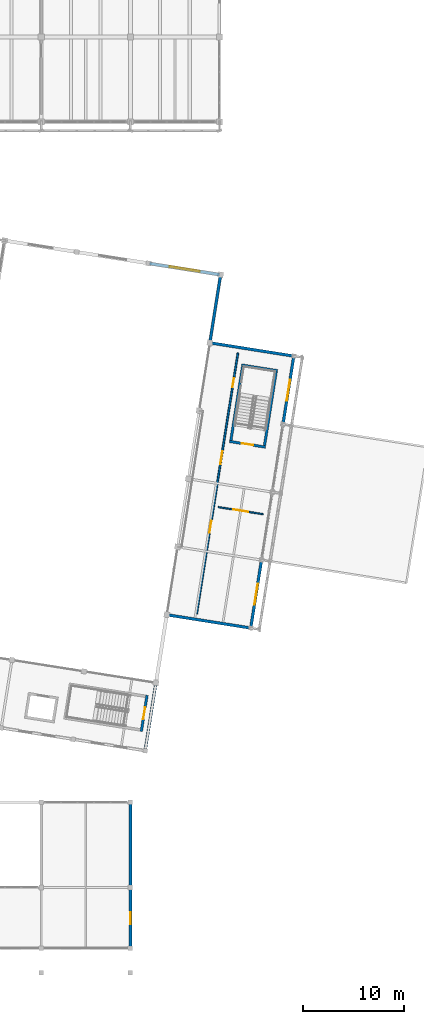
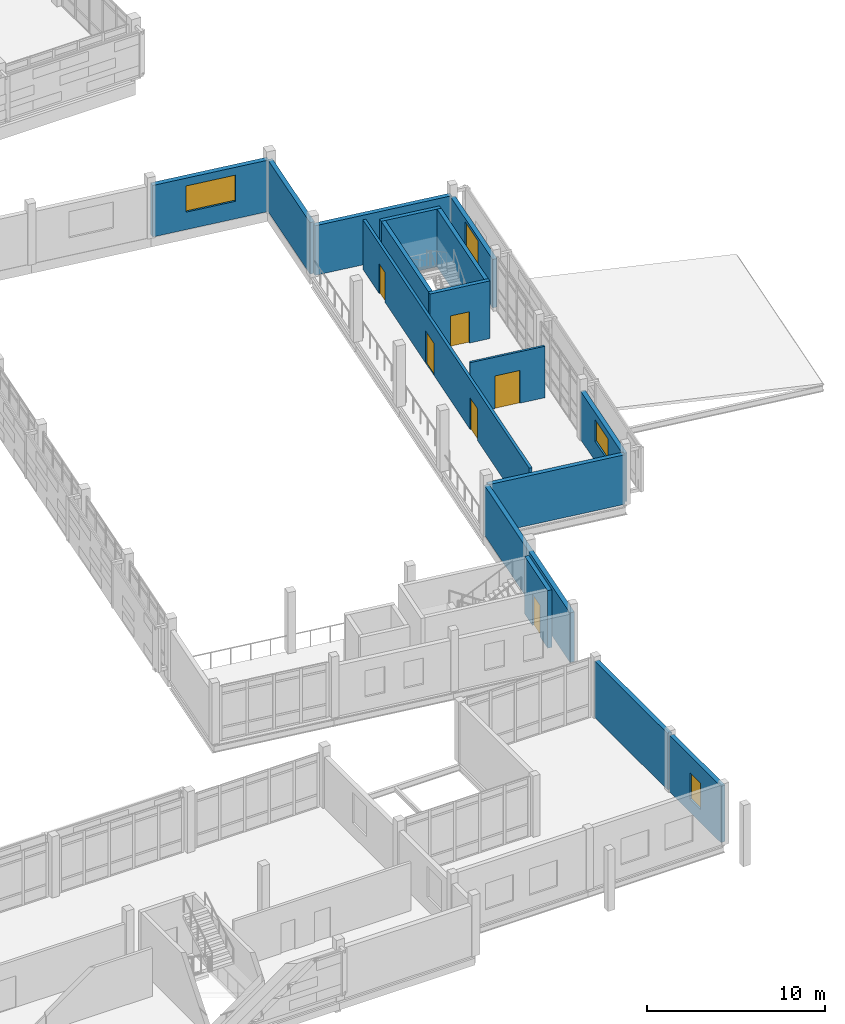
# One storey, part 114 of 137: 16 walls, 6 doors, 4 windows, 10 openings.
"""IFC4 building model written with IfcOpenShell, lengths in metres."""

from ifc_helpers import new_model, si_unit, direction, frame, frame_2d, origin, place, context, subcontext, project, spatial, rectangle, extrude, material, layer, layer_set, type_object, element, fill, save


model = new_model("IFC4")

# Units and contexts
model_context = context("Model", 3, precision=1e-05, world=origin(), true_north=direction((0.0, 1.0)))
body_context = subcontext(model_context, "Body", "Model", "MODEL_VIEW")
ifc_project = project(units=[si_unit("LENGTHUNIT", "METRE"), si_unit("AREAUNIT", "SQUARE_METRE"), si_unit("VOLUMEUNIT", "CUBIC_METRE"), si_unit("PLANEANGLEUNIT", "RADIAN"), si_unit("MASSUNIT", "GRAM", prefix="KILO")], contexts=[model_context])

# Site, building, storey
site_placement = place(None, origin())
site = spatial("IfcSite", under=ifc_project, at=site_placement, CompositionType="ELEMENT")
building_placement = place(site_placement, origin())
building = spatial("IfcBuilding", under=site, at=building_placement, Name="Cinderway Yard Community Centre", CompositionType="ELEMENT")
storey_placement = place(building_placement, frame((0.0, 0.0, 4.800048828125)))
storey = spatial("IfcBuildingStorey", under=building, at=storey_placement, Name="L01", CompositionType="ELEMENT", Elevation=4.800048828125)

# Wall, opening, window
ifc_material_1 = material(Name="Concrete C35/45", Category="concrete")
ifc_layer_1 = layer(ifc_material_1, 0.280029296875, Name="Concrete C35/45")
ifc_layer_set_1 = layer_set([ifc_layer_1], Name="Concrete C35/45")
wall_type_1 = type_object("IfcWallType", Name="ENV-WAL-EXT280", PredefinedType="SOLIDWALL", material=ifc_layer_set_1)
wall_1_placement = place(storey_placement, frame((148.7099609375, 40.1220703125, 0.0), z_axis=(0.0, 0.0, 1.0), x_axis=(0.156500089252, 0.987677944506, 0.0)))
wall_1 = element("IfcWall", 1, at=wall_1_placement, inside=storey, type_object=wall_type_1, Name="Athletics East Brick Wall ENV-WAL-L01-0070", PredefinedType="SOLIDWALL", context=body_context, shape_type="SweptSolid", body=[
    extrude(rectangle(XDim=6.600341796875, YDim=0.280029296875, at=frame_2d((3.30029296875, 0.0))), origin(), (0.0, 0.0, 1.0), 3.327880859375),
])
opening_1_placement = place(wall_1_placement, frame((2.25, 0.0, 1.35009765625)))
opening_1 = element("IfcOpeningElement", 2, at=opening_1_placement, cuts=wall_1, Name="Opening W-04", PredefinedType="OPENING", context=body_context, shape_type="SweptSolid", body=[
    extrude(rectangle(XDim=2.10009765625, YDim=1.5, at=frame_2d((1.050048828125, 0.75))), frame((0.0, 0.14990234375, 0.0), z_axis=(0.0, -1.0, 0.0), x_axis=(1.0, 0.0, 0.0)), (0.0, 0.0, 1.0), 0.300048828125),
])
ifc_material_2 = material(Name="Laminated Low-E Glass", Category="glass")
window_type_1 = type_object("IfcWindowType", Name="ENV-WIN-W04", PartitioningType="TRIPLE_PANEL_VERTICAL", PredefinedType="WINDOW", material=ifc_material_2)
window_1_placement = place(opening_1_placement, origin())
window_1 = element("IfcWindow", 3, at=window_1_placement, inside=storey, type_object=window_type_1, Name="Exterior window ENV-WIN-L01-0050", OverallHeight=1.5, OverallWidth=2.10009765625, PartitioningType="SINGLE_PANEL", PredefinedType="WINDOW", context=body_context, shape_type="SweptSolid", body=[
    extrude(rectangle(XDim=2.10009765625, YDim=1.5, at=frame_2d((1.050048828125, 0.75))), frame((0.0, 0.030029296875, 0.0), z_axis=(0.0, -1.0, 0.0), x_axis=(1.0, 0.0, 0.0)), (0.0, 0.0, 1.0), 0.06005859375),
])
fill(opening_1, window_1)

wall_2_placement = place(storey_placement, frame((151.90087890625, 60.27099609375, 0.0), z_axis=(0.0, 0.0, 1.0), x_axis=(0.156536171909, 0.987672226442, 0.0)))
wall_2 = element("IfcWall", 4, at=wall_2_placement, inside=storey, type_object=wall_type_1, Name="Athletics East Brick Wall ENV-WAL-L01-0071", PredefinedType="SOLIDWALL", context=body_context, shape_type="SweptSolid", body=[
    extrude(rectangle(XDim=6.600341796875, YDim=0.280029296875, at=frame_2d((3.30029296875, 0.0))), origin(), (0.0, 0.0, 1.0), 3.327880859375),
])
opening_2_placement = place(wall_2_placement, frame((2.25, 0.0, 1.30810546875)))
opening_2 = element("IfcOpeningElement", 5, at=opening_2_placement, cuts=wall_2, Name="Opening W-09", PredefinedType="OPENING", context=body_context, shape_type="SweptSolid", body=[
    extrude(rectangle(XDim=2.10009765625, YDim=1.800048828125, at=frame_2d((1.050048828125, 0.89990234375))), frame((0.0, 0.14990234375, 0.0), z_axis=(0.0, -1.0, 0.0), x_axis=(1.0, 0.0, 0.0)), (0.0, 0.0, 1.0), 0.300048828125),
])
window_type_2 = type_object("IfcWindowType", Name="ENV-WIN-W09", PartitioningType="TRIPLE_PANEL_VERTICAL", PredefinedType="WINDOW", material=ifc_material_2)
window_2_placement = place(opening_2_placement, origin())
window_2 = element("IfcWindow", 6, at=window_2_placement, inside=storey, type_object=window_type_2, Name="Exterior window ENV-WIN-L01-0051", OverallHeight=1.800048828125, OverallWidth=2.10009765625, PartitioningType="SINGLE_PANEL", PredefinedType="WINDOW", context=body_context, shape_type="SweptSolid", body=[
    extrude(rectangle(XDim=2.10009765625, YDim=1.800048828125, at=frame_2d((1.050048828125, 0.89990234375))), frame((0.0, 0.030029296875, 0.0), z_axis=(0.0, -1.0, 0.0), x_axis=(1.0, 0.0, 0.0)), (0.0, 0.0, 1.0), 0.06005859375),
])
fill(opening_2, window_2)

# Walls
wall_3_placement = place(storey_placement, frame((138.282958984375, 27.98388671875, 0.0), z_axis=(0.0, 0.0, 1.0), x_axis=(0.156407521508, 0.987692607655, 0.0)))
element("IfcWall", 7, at=wall_3_placement, inside=storey, type_object=wall_type_1, Name="Sports Return Wall ENV-WAL-L01-0073", PredefinedType="SOLIDWALL", context=body_context, shape_type="SweptSolid", body=[
    extrude(rectangle(XDim=13.439697265625, YDim=0.280029296875, at=frame_2d((6.7197265625, 0.0))), origin(), (0.0, 0.0, 1.0), 3.406005859375),
])
wall_4_placement = place(storey_placement, frame((140.47705078125, 41.323974609375, 0.0), z_axis=(0.0, 0.0, 1.0), x_axis=(0.98770403257, -0.156335357629, 0.0)))
element("IfcWall", 8, at=wall_4_placement, inside=storey, type_object=wall_type_1, Name="Sports Return Wall ENV-WAL-L01-0074", PredefinedType="SOLIDWALL", context=body_context, shape_type="SweptSolid", body=[
    extrude(rectangle(XDim=8.2392578125, YDim=0.280029296875, at=frame_2d((4.11962890625, 0.0))), origin(), (0.0, 0.0, 1.0), 3.406005859375),
])
wall_5_placement = place(storey_placement, frame((144.73193359375, 68.18896484375, 0.0), z_axis=(0.0, 0.0, 1.0), x_axis=(0.987704756752, -0.156330782283, 0.0)))
element("IfcWall", 9, at=wall_5_placement, inside=storey, type_object=wall_type_1, Name="Sports Return Wall ENV-WAL-L01-0075", PredefinedType="SOLIDWALL", context=body_context, shape_type="SweptSolid", body=[
    extrude(rectangle(XDim=8.239501953125, YDim=0.280029296875, at=frame_2d((4.11962890625, 0.0))), origin(), (0.0, 0.0, 1.0), 3.406005859375),
])
wall_6_placement = place(storey_placement, frame((144.666015625, 68.281005859375, 0.0), z_axis=(0.0, 0.0, 1.0), x_axis=(0.15632126228, 0.987706263501, 0.0)))
element("IfcWall", 10, at=wall_6_placement, inside=storey, type_object=wall_type_1, Name="Sports Return Wall ENV-WAL-L01-0076", PredefinedType="SOLIDWALL", context=body_context, shape_type="SweptSolid", body=[
    extrude(rectangle(XDim=6.640625, YDim=0.280029296875, at=frame_2d((3.3203125, 0.0))), origin(), (0.0, 0.0, 1.0), 3.534912109375),
])

# Wall, opening, window
wall_7_placement = place(storey_placement, frame((136.800048828125, 8.449951171875, 0.0), z_axis=(0.0, 0.0, 1.0), x_axis=(0.0, 1.0, 0.0)))
wall_7 = element("IfcWall", 11, at=wall_7_placement, inside=storey, type_object=wall_type_1, Name="East Arcade Flank Wall ENV-WAL-L01-0241", PredefinedType="SOLIDWALL", context=body_context, shape_type="SweptSolid", body=[
    extrude(rectangle(XDim=5.800048828125, YDim=0.280029296875, at=frame_2d((2.89990234375, 0.0))), origin(), (0.0, 0.0, 1.0), 3.8720703125),
])
opening_3_placement = place(wall_7_placement, frame((2.300048828125, 0.0, 0.89990234375)))
opening_3 = element("IfcOpeningElement", 12, at=opening_3_placement, cuts=wall_7, Name="Opening W-06", PredefinedType="OPENING", context=body_context, shape_type="SweptSolid", body=[
    extrude(rectangle(XDim=1.199951171875, YDim=1.800048828125, at=frame_2d((0.60009765625, 0.89990234375))), frame((0.0, 0.14990234375, 0.0), z_axis=(0.0, -1.0, 0.0), x_axis=(1.0, 0.0, 0.0)), (0.0, 0.0, 1.0), 0.300048828125),
])
window_type_3 = type_object("IfcWindowType", Name="ENV-WIN-W06", PartitioningType="SINGLE_PANEL", PredefinedType="WINDOW", material=ifc_material_2)
window_3_placement = place(opening_3_placement, origin())
window_3 = element("IfcWindow", 13, at=window_3_placement, inside=storey, type_object=window_type_3, Name="Exterior window ENV-WIN-L01-0118", OverallHeight=1.800048828125, OverallWidth=1.199951171875, PartitioningType="SINGLE_PANEL", PredefinedType="WINDOW", context=body_context, shape_type="SweptSolid", body=[
    extrude(rectangle(XDim=1.199951171875, YDim=1.800048828125, at=frame_2d((0.60009765625, 0.89990234375))), frame((0.0, 0.030029296875, 0.0), z_axis=(0.0, -1.0, 0.0), x_axis=(1.0, 0.0, 0.0)), (0.0, 0.0, 1.0), 0.06005859375),
])
fill(opening_3, window_3)

# Wall
wall_8_placement = place(storey_placement, frame((136.800048828125, 14.449951171875, 0.0), z_axis=(0.0, 0.0, 1.0), x_axis=(0.0, 1.0, 0.0)))
element("IfcWall", 14, at=wall_8_placement, inside=storey, type_object=wall_type_1, Name="East Arcade Flank Wall ENV-WAL-L01-0242", PredefinedType="SOLIDWALL", context=body_context, shape_type="SweptSolid", body=[
    extrude(rectangle(XDim=8.199951171875, YDim=0.280029296875, at=frame_2d((4.10009765625, 0.0))), origin(), (0.0, 0.0, 1.0), 3.8720703125),
])

# Wall, opening, window
ifc_material_3 = material(Name="Brick Masonry", Category="masonry")
ifc_layer_2 = layer(ifc_material_3, 0.300048828125, Name="Brick Masonry")
ifc_layer_set_2 = layer_set([ifc_layer_2], Name="Brick Masonry")
wall_type_2 = type_object("IfcWallType", Name="ENV-WAL-EXT300", PredefinedType="SOLIDWALL", material=ifc_layer_set_2)
wall_9_placement = place(storey_placement, frame((138.7041015625, 76.029052734375, 0.0), z_axis=(0.0, 0.0, 1.0), x_axis=(0.987689897735, -0.156424633332, 0.0)))
wall_9 = element("IfcWall", 15, at=wall_9_placement, inside=storey, type_object=wall_type_2, Name="Sports North End Wall ENV-WAL-L01-0069", PredefinedType="SOLIDWALL", context=body_context, shape_type="SweptSolid", body=[
    extrude(rectangle(XDim=7.0, YDim=0.300048828125, at=frame_2d((3.5, 0.0))), origin(), (0.0, 0.0, 1.0), 3.534912109375),
])
opening_4_placement = place(wall_9_placement, frame((2.0, 0.0, 1.199951171875)))
opening_4 = element("IfcOpeningElement", 16, at=opening_4_placement, cuts=wall_9, Name="Opening W-12", PredefinedType="OPENING", context=body_context, shape_type="SweptSolid", body=[
    extrude(rectangle(XDim=3.0, YDim=1.800048828125, at=frame_2d((1.5, 0.89990234375))), frame((0.0, 0.159912109375, 0.0), z_axis=(0.0, -1.0, 0.0), x_axis=(1.0, 0.0, 0.0)), (0.0, 0.0, 1.0), 0.320068359375),
])
window_type_4 = type_object("IfcWindowType", Name="ENV-WIN-W12", PartitioningType="TRIPLE_PANEL_VERTICAL", PredefinedType="WINDOW", material=ifc_material_2)
window_4_placement = place(opening_4_placement, origin())
window_4 = element("IfcWindow", 17, at=window_4_placement, inside=storey, type_object=window_type_4, Name="Exterior window ENV-WIN-L01-0049", OverallHeight=1.800048828125, OverallWidth=3.0, PartitioningType="SINGLE_PANEL", PredefinedType="WINDOW", context=body_context, shape_type="SweptSolid", body=[
    extrude(rectangle(XDim=3.0, YDim=1.800048828125, at=frame_2d((1.5, 0.89990234375))), frame((0.0, 0.030029296875, 0.0), z_axis=(0.0, -1.0, 0.0), x_axis=(1.0, 0.0, 0.0)), (0.0, 0.0, 1.0), 0.06005859375),
])
fill(opening_4, window_4)

# Wall, opening, door
ifc_material_4 = material(Name="Gypsum Board Partition", Category="gypsum")
ifc_layer_3 = layer(ifc_material_4, 0.139892578125, Name="Gypsum Board Partition")
ifc_layer_set_3 = layer_set([ifc_layer_3], Name="Gypsum Board Partition")
wall_type_3 = type_object("IfcWallType", Name="INT-WAL-PRT140", PredefinedType="PARTITIONING", material=ifc_layer_set_3)
wall_10_placement = place(storey_placement, frame((145.47509765625, 51.97412109375, 0.0), z_axis=(0.0, 0.0, 1.0), x_axis=(0.987679230443, -0.156491973442, 0.0)))
wall_10 = element("IfcWall", 18, at=wall_10_placement, inside=storey, type_object=wall_type_3, Name="Athletics Room Divider INT-PRT-L01-0259", PredefinedType="PARTITIONING", context=body_context, shape_type="SweptSolid", body=[
    extrude(rectangle(XDim=4.499267578125, YDim=0.139892578125, at=frame_2d((2.24951171875, 0.0))), origin(), (0.0, 0.0, 1.0), 3.534912109375),
])
opening_5_placement = place(wall_10_placement, frame((1.5, 0.0, 0.0)))
opening_5 = element("IfcOpeningElement", 19, at=opening_5_placement, cuts=wall_10, Name="Opening D-13", PredefinedType="OPENING", context=body_context, shape_type="SweptSolid", body=[
    extrude(rectangle(XDim=1.5, YDim=2.25, at=frame_2d((0.75, 1.125))), frame((0.0, 0.079833984375, 0.0), z_axis=(0.0, -1.0, 0.0), x_axis=(1.0, 0.0, 0.0)), (0.0, 0.0, 1.0), 0.159912109375),
])
ifc_material_5 = material(Name="Painted Galvanised Steel", Category="steel")
door_type_1 = type_object("IfcDoorType", Name="INT-DOR-PLT150", OperationType="DOUBLE_DOOR_SINGLE_SWING", PredefinedType="DOOR", material=ifc_material_5)
door_1_placement = place(opening_5_placement, origin())
door_1 = element("IfcDoor", 20, at=door_1_placement, inside=storey, type_object=door_type_1, Name="Room door INT-DOR-L01-0159", OperationType="DOUBLE_DOOR_SINGLE_SWING", OverallHeight=2.25, OverallWidth=1.5, PredefinedType="DOOR", context=body_context, shape_type="SweptSolid", body=[
    extrude(rectangle(XDim=1.5, YDim=2.25, at=frame_2d((0.75, 1.125))), frame((0.0, 0.02490234375, 0.0), z_axis=(0.0, -1.0, 0.0), x_axis=(1.0, 0.0, 0.0)), (0.0, 0.0, 1.0), 0.050048828125),
])
fill(opening_5, door_1)

# Wall, openings, doors
ifc_layer_4 = layer(ifc_material_3, 0.179931640625, Name="Brick Masonry")
ifc_layer_set_4 = layer_set([ifc_layer_4], Name="Brick Masonry")
wall_type_4 = type_object("IfcWallType", Name="INT-WAL-PRT180", PredefinedType="PARTITIONING", material=ifc_layer_set_4)
wall_11_placement = place(storey_placement, frame((143.347900390625, 41.427001953125, 0.0), z_axis=(0.0, 0.0, 1.0), x_axis=(0.156440506918, 0.987687383637, 0.0)))
wall_11 = element("IfcWall", 21, at=wall_11_placement, inside=storey, type_object=wall_type_4, Name="Athletics Corridor Spine INT-PRT-L01-0258", PredefinedType="PARTITIONING", context=body_context, shape_type="SweptSolid", body=[
    extrude(rectangle(XDim=26.099365234375, YDim=0.179931640625, at=frame_2d((13.0498046875, 0.0))), origin(), (0.0, 0.0, 1.0), 3.406005859375),
])
opening_6_placement = place(wall_11_placement, frame((8.110107421875, 0.0, 0.0)))
opening_6 = element("IfcOpeningElement", 22, at=opening_6_placement, cuts=wall_11, Name="Opening D-11", PredefinedType="OPENING", context=body_context, shape_type="SweptSolid", body=[
    extrude(rectangle(XDim=1.179931640625, YDim=2.179931640625, at=frame_2d((0.58984375, 1.08984375))), frame((0.0, 0.099853515625, 0.0), z_axis=(0.0, -1.0, 0.0), x_axis=(1.0, 0.0, 0.0)), (0.0, 0.0, 1.0), 0.199951171875),
])
opening_7_placement = place(wall_11_placement, frame((14.949951171875, 0.0, 0.0)))
opening_7 = element("IfcOpeningElement", 23, at=opening_7_placement, cuts=wall_11, Name="Opening D-12", PredefinedType="OPENING", context=body_context, shape_type="SweptSolid", body=[
    extrude(rectangle(XDim=1.300048828125, YDim=2.199951171875, at=frame_2d((0.64990234375, 1.10009765625))), frame((0.0, 0.099853515625, 0.0), z_axis=(0.0, -1.0, 0.0), x_axis=(1.0, 0.0, 0.0)), (0.0, 0.0, 1.0), 0.199951171875),
])
opening_8_placement = place(wall_11_placement, frame((22.660888671875, 0.0, 0.0)))
opening_8 = element("IfcOpeningElement", 24, at=opening_8_placement, cuts=wall_11, Name="Opening D-10", PredefinedType="OPENING", context=body_context, shape_type="SweptSolid", body=[
    extrude(rectangle(XDim=0.89990234375, YDim=2.06005859375, at=frame_2d((0.449951171875, 1.030029296875))), frame((0.0, 0.099853515625, 0.0), z_axis=(0.0, -1.0, 0.0), x_axis=(1.0, 0.0, 0.0)), (0.0, 0.0, 1.0), 0.199951171875),
])
door_type_2 = type_object("IfcDoorType", Name="INT-DOR-PLT130", OperationType="NOTDEFINED", PredefinedType="DOOR", material=ifc_material_5)
door_2_placement = place(opening_7_placement, origin())
door_2 = element("IfcDoor", 25, at=door_2_placement, inside=storey, type_object=door_type_2, Name="Room door INT-DOR-L01-0158", OperationType="SINGLE_SWING_RIGHT", OverallHeight=2.199951171875, OverallWidth=1.300048828125, PredefinedType="DOOR", context=body_context, shape_type="SweptSolid", body=[
    extrude(rectangle(XDim=1.300048828125, YDim=2.199951171875, at=frame_2d((0.64990234375, 1.10009765625))), frame((0.0, 0.02490234375, 0.0), z_axis=(0.0, -1.0, 0.0), x_axis=(1.0, 0.0, 0.0)), (0.0, 0.0, 1.0), 0.050048828125),
])
fill(opening_7, door_2)
ifc_material_6 = material(Name="Hardwood Timber", Category="wood")
door_type_3 = type_object("IfcDoorType", Name="INT-DOR-SAN090", OperationType="NOTDEFINED", PredefinedType="DOOR", material=ifc_material_6)
door_3_placement = place(opening_8_placement, origin())
door_3 = element("IfcDoor", 26, at=door_3_placement, inside=storey, type_object=door_type_3, Name="Fitness Toilets & Accessible WC Door INT-DOR-L01-0295", OperationType="SINGLE_SWING_LEFT", OverallHeight=2.06005859375, OverallWidth=0.89990234375, PredefinedType="DOOR", context=body_context, shape_type="SweptSolid", body=[
    extrude(rectangle(XDim=0.89990234375, YDim=2.06005859375, at=frame_2d((0.449951171875, 1.030029296875))), frame((0.0, 0.02490234375, 0.0), z_axis=(0.0, -1.0, 0.0), x_axis=(1.0, 0.0, 0.0)), (0.0, 0.0, 1.0), 0.050048828125),
])
fill(opening_8, door_3)
door_type_4 = type_object("IfcDoorType", Name="INT-DOR-STR118", OperationType="NOTDEFINED", PredefinedType="DOOR", material=ifc_material_5)
door_4_placement = place(opening_6_placement, origin())
door_4 = element("IfcDoor", 27, at=door_4_placement, inside=storey, type_object=door_type_4, Name="Room door INT-DOR-L01-0157", OperationType="SINGLE_SWING_LEFT", OverallHeight=2.179931640625, OverallWidth=1.179931640625, PredefinedType="DOOR", context=body_context, shape_type="SweptSolid", body=[
    extrude(rectangle(XDim=1.179931640625, YDim=2.179931640625, at=frame_2d((0.58984375, 1.08984375))), frame((0.0, 0.02490234375, 0.0), z_axis=(0.0, -1.0, 0.0), x_axis=(1.0, 0.0, 0.0)), (0.0, 0.0, 1.0), 0.050048828125),
])
fill(opening_6, door_4)

# Wall, opening, door
ifc_material_7 = material(Name="Concrete C40/50", Category="concrete")
ifc_layer_5 = layer(ifc_material_7, 0.25, Name="Concrete C40/50")
ifc_layer_set_5 = layer_set([ifc_layer_5], Name="Concrete C40/50")
wall_type_5 = type_object("IfcWallType", Name="INT-WAL-SHR250", PredefinedType="SHEAR", material=ifc_layer_set_5)
wall_12_placement = place(storey_placement, frame((138.450927734375, 33.388916015625, 0.0), z_axis=(0.0, 0.0, 1.0), x_axis=(-0.156518291279, -0.987675060177, 0.0)))
wall_12 = element("IfcWall", 28, at=wall_12_placement, inside=storey, type_object=wall_type_5, Name="Stair ST-07 Entry Wall INT-WAL-L01-0165", PredefinedType="SHEAR", context=body_context, shape_type="SweptSolid", body=[
    extrude(rectangle(XDim=3.609375, YDim=0.25, at=frame_2d((1.8046875, 0.0))), origin(), (0.0, 0.0, 1.0), 3.9599609375),
])
opening_9_placement = place(wall_12_placement, frame((1.205078125, 0.0, 0.0)))
opening_9 = element("IfcOpeningElement", 29, at=opening_9_placement, cuts=wall_12, Name="Opening D-ST1", PredefinedType="OPENING", context=body_context, shape_type="SweptSolid", body=[
    extrude(rectangle(XDim=1.199951171875, YDim=2.14990234375, at=frame_2d((0.60009765625, 1.074951171875))), frame((0.0, 0.135009765625, 0.0), z_axis=(0.0, -1.0, 0.0), x_axis=(1.0, 0.0, 0.0)), (0.0, 0.0, 1.0), 0.27001953125),
])
door_type_5 = type_object("IfcDoorType", Name="INT-DOR-ST120", OperationType="NOTDEFINED", PredefinedType="DOOR", material=ifc_material_5)
door_5_placement = place(opening_9_placement, origin())
door_5 = element("IfcDoor", 30, at=door_5_placement, inside=storey, type_object=door_type_5, Name="Core door INT-DOR-L01-0045", OperationType="SINGLE_SWING_RIGHT", OverallHeight=2.14990234375, OverallWidth=1.199951171875, PredefinedType="DOOR", context=body_context, shape_type="SweptSolid", body=[
    extrude(rectangle(XDim=1.199951171875, YDim=2.14990234375, at=frame_2d((0.60009765625, 1.074951171875))), frame((0.0, 0.02490234375, 0.0), z_axis=(0.0, -1.0, 0.0), x_axis=(1.0, 0.0, 0.0)), (0.0, 0.0, 1.0), 0.050048828125),
])
fill(opening_9, door_5)

wall_13_placement = place(storey_placement, frame((150.153076171875, 57.89501953125, 0.0), z_axis=(0.0, 0.0, 1.0), x_axis=(-0.987676717047, 0.156507835599, 0.0)))
wall_13 = element("IfcWall", 31, at=wall_13_placement, inside=storey, type_object=wall_type_5, Name="Stair ST-08 Entry Wall INT-WAL-L01-0189", PredefinedType="SHEAR", context=body_context, shape_type="SweptSolid", body=[
    extrude(rectangle(XDim=3.609619140625, YDim=0.25, at=frame_2d((1.8046875, 0.0))), origin(), (0.0, 0.0, 1.0), 3.9599609375),
])
opening_10_placement = place(wall_13_placement, frame((1.235107421875, 0.0, 0.0)))
opening_10 = element("IfcOpeningElement", 32, at=opening_10_placement, cuts=wall_13, Name="Opening D-ST2", PredefinedType="OPENING", context=body_context, shape_type="SweptSolid", body=[
    extrude(rectangle(XDim=1.139892578125, YDim=2.14990234375, at=frame_2d((0.56982421875, 1.074951171875))), frame((0.0, 0.135009765625, 0.0), z_axis=(0.0, -1.0, 0.0), x_axis=(1.0, 0.0, 0.0)), (0.0, 0.0, 1.0), 0.27001953125),
])
door_type_6 = type_object("IfcDoorType", Name="INT-DOR-ST114", OperationType="NOTDEFINED", PredefinedType="DOOR", material=ifc_material_5)
door_6_placement = place(opening_10_placement, origin())
door_6 = element("IfcDoor", 33, at=door_6_placement, inside=storey, type_object=door_type_6, Name="Core door INT-DOR-L01-0051", OperationType="SINGLE_SWING_LEFT", OverallHeight=2.14990234375, OverallWidth=1.139892578125, PredefinedType="DOOR", context=body_context, shape_type="SweptSolid", body=[
    extrude(rectangle(XDim=1.139892578125, YDim=2.14990234375, at=frame_2d((0.56982421875, 1.074951171875))), frame((0.0, 0.02490234375, 0.0), z_axis=(0.0, -1.0, 0.0), x_axis=(1.0, 0.0, 0.0)), (0.0, 0.0, 1.0), 0.050048828125),
])
fill(opening_10, door_6)

# Walls
wall_14_placement = place(storey_placement, frame((147.782958984375, 66.006103515625, 0.0), z_axis=(0.0, 0.0, 1.0), x_axis=(0.987664601714, -0.156584272906, 0.0)))
element("IfcWall", 34, at=wall_14_placement, inside=storey, type_object=wall_type_5, Name="Stair ST-08 Back Wall INT-WAL-L01-0190", PredefinedType="SHEAR", context=body_context, shape_type="SweptSolid", body=[
    extrude(rectangle(XDim=3.609375, YDim=0.25, at=frame_2d((1.8046875, 0.0))), origin(), (0.0, 0.0, 1.0), 3.9599609375),
])
wall_15_placement = place(storey_placement, frame((146.73095703125, 58.56396484375, 0.0), z_axis=(0.0, 0.0, 1.0), x_axis=(0.15642738738, 0.98768946156, 0.0)))
element("IfcWall", 35, at=wall_15_placement, inside=storey, type_object=wall_type_5, Name="Stair ST-08 Side Wall L INT-WAL-L01-0191", PredefinedType="SHEAR", context=body_context, shape_type="SweptSolid", body=[
    extrude(rectangle(XDim=7.39013671875, YDim=0.25, at=frame_2d((3.695068359375, 0.0))), origin(), (0.0, 0.0, 1.0), 3.9599609375),
])
wall_16_placement = place(storey_placement, frame((151.205078125, 65.3369140625, 0.0), z_axis=(0.0, 0.0, 1.0), x_axis=(-0.156432491725, -0.987688653136, 0.0)))
element("IfcWall", 36, at=wall_16_placement, inside=storey, type_object=wall_type_5, Name="Stair ST-08 Side Wall R INT-WAL-L01-0192", PredefinedType="SHEAR", context=body_context, shape_type="SweptSolid", body=[
    extrude(rectangle(XDim=7.389892578125, YDim=0.25, at=frame_2d((3.69482421875, 0.0))), origin(), (0.0, 0.0, 1.0), 3.9599609375),
])

save(model, "model.ifc")
